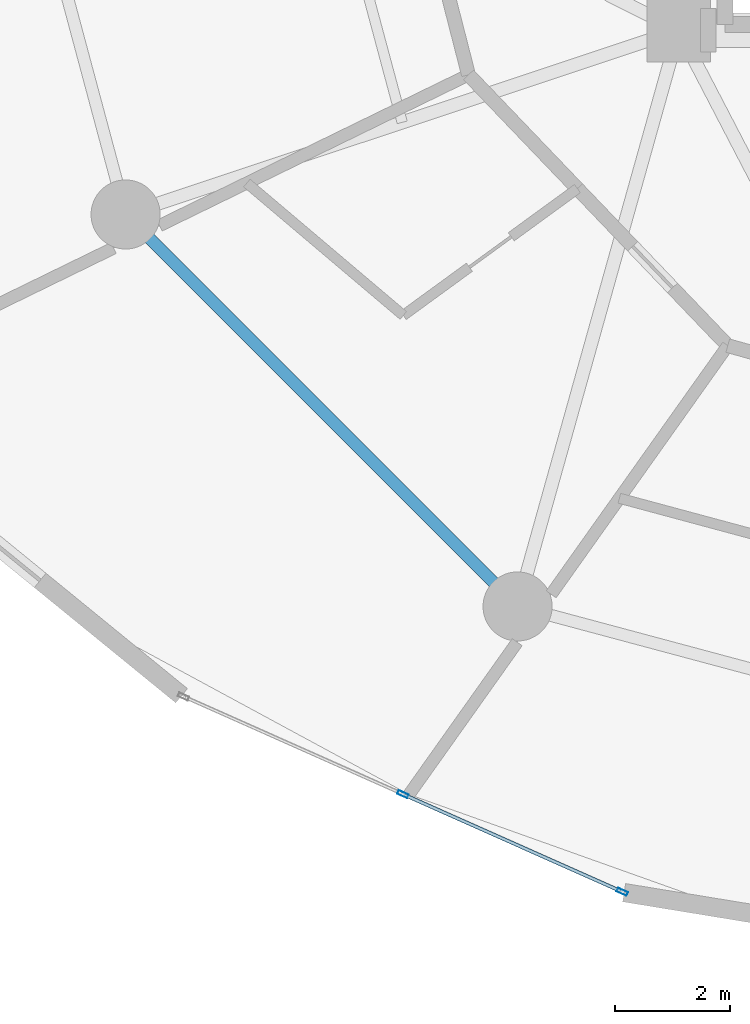
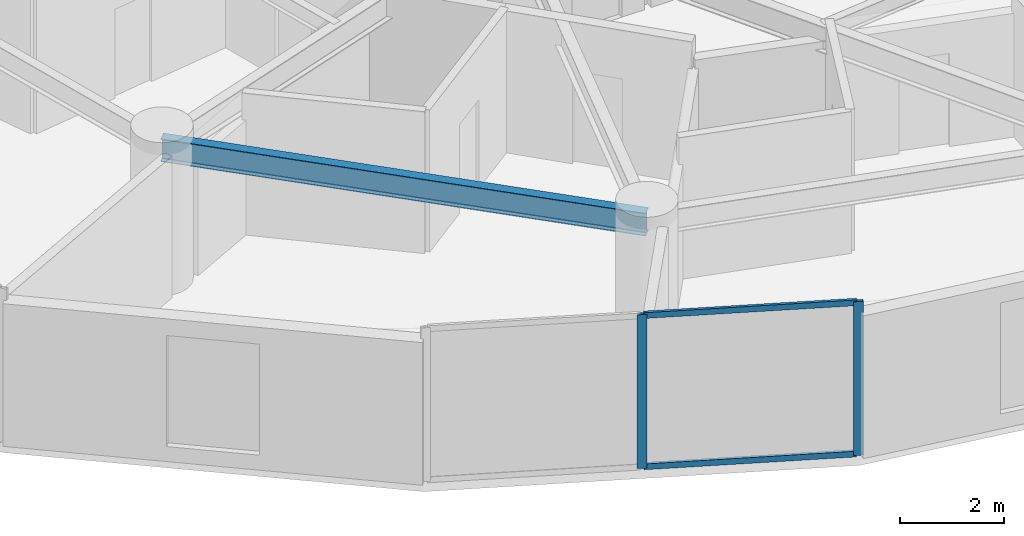
# One storey, part 3 of 26: 4 members, 1 beam, 1 element without a shape of its own.
"""IFC4 building model written with IfcOpenShell, lengths in metres."""

from ifc_helpers import new_model, si_unit, direction, frame, origin, origin_2d, place, context, subcontext, project, spatial, hollow_rectangle, i_section, extrude, source, transform, mapped, material, layer, layer_set, material_profile, profile_set, type_object, element, aggregate, save


model = new_model("IFC4")

# Units and contexts
model_context = context("Model", 3, precision=1e-05, world=origin(), true_north=direction((0.0, 1.0)))
body_context = subcontext(model_context, "Body", "Model", "MODEL_VIEW")
ifc_project = project(units=[si_unit("LENGTHUNIT", "METRE"), si_unit("AREAUNIT", "SQUARE_METRE"), si_unit("VOLUMEUNIT", "CUBIC_METRE"), si_unit("PLANEANGLEUNIT", "RADIAN"), si_unit("MASSUNIT", "GRAM", prefix="KILO")], contexts=[model_context])

# Site, building, storey
site_placement = place(None, origin())
site = spatial("IfcSite", under=ifc_project, at=site_placement, CompositionType="ELEMENT")
building_placement = place(site_placement, origin())
building = spatial("IfcBuilding", under=site, at=building_placement, Name="Solvirekh Grand Hotel", CompositionType="ELEMENT")
storey_placement = place(building_placement, frame((0.0, 0.0, 64.39990234375)))
storey = spatial("IfcBuildingStorey", under=building, at=storey_placement, Name="L15", CompositionType="ELEMENT", Elevation=64.39990234375)

# Beam
ifc_material_1 = material(Name="Steel S355", Category="steel")
ifc_material_profile_1 = material_profile(ifc_material_1, i_section(OverallWidth=0.208984375, OverallDepth=0.532958984375, WebThickness=0.010009765625, FlangeThickness=0.014892578125, FilletRadius=0.013916015625, at=origin_2d()), Name="W530X92")
ifc_profile_set_1 = profile_set([ifc_material_profile_1], Name="Steel S355")
beam_type = type_object("IfcBeamType", Name="Spandrel_Ring_W530", PredefinedType="SPANDREL", material=ifc_profile_set_1)
beam_placement = place(storey_placement, frame((-16.10791015625, -9.300048828125, 3.07421875), z_axis=(0.707106781187, -0.707106781187, 0.0), x_axis=(0.707106781187, 0.707106781187, 0.0)))
element("IfcBeam", 1, at=beam_placement, inside=storey, type_object=beam_type, Name="L15 perimeter spandrel beam 8", PredefinedType="SPANDREL", context=body_context, shape_type="SweptSolid", body=[
    extrude(i_section(OverallWidth=0.208984375, OverallDepth=0.532958984375, WebThickness=0.010009765625, FlangeThickness=0.014892578125, FilletRadius=0.013916015625, at=origin_2d()), origin(), (0.0, 0.0, 1.0), 9.627685546875),
])

# Curtain wall, members
ifc_material_2 = material(Name="Anodized Bronze Aluminium 6063-T6", Category="aluminium")
ifc_layer = layer(ifc_material_2, 0.18994140625)
ifc_layer_set = layer_set([ifc_layer], Name="Anodized Bronze Aluminium 6063-T6")
curtain_wall_type = type_object("IfcCurtainWallType", Name="CW_Sys2_LowZoneFlushBronzeCW", PredefinedType="NOTDEFINED", material=ifc_layer_set)
curtain_wall_placement = place(storey_placement, origin())
curtain_wall = element("IfcCurtainWall", 2, at=curtain_wall_placement, inside=storey, type_object=curtain_wall_type, Name="L15 unitised bronze-glass curtain wall CW-L15-C15", PredefinedType="NOTDEFINED")
ifc_material_profile_2 = material_profile(ifc_material_2, hollow_rectangle(XDim=0.070068359375, YDim=0.18994140625, WallThickness=0.0048828125, at=origin_2d()), Name="ALU RHS 190X70X5")
ifc_profile_set_2 = profile_set([ifc_material_profile_2], Name="Anodized Bronze Aluminium 6063-T6")
member_type_1 = type_object("IfcMemberType", Name="CWMullion_Sys2", PredefinedType="MULLION", material=ifc_profile_set_2)
shared_shape_1 = source(origin(), body_context, "Body", "SweptSolid", [
    extrude(hollow_rectangle(XDim=0.070068359375, YDim=0.18994140625, WallThickness=0.0048828125, at=origin_2d()), origin(), (0.0, 0.0, 1.0), 3.60009765625),
])
member_1_placement = place(storey_placement, frame((-11.29296875, -19.368408203125, 0.0), z_axis=(0.0, 0.0, 1.0), x_axis=(0.406634695152, 0.913590840967, 0.0)))
member_1 = element("IfcMember", 3, at=member_1_placement, type_object=member_type_1, Name="U02 mullion 2", PredefinedType="MULLION", context=body_context, shape_type="MappedRepresentation", body=[
    mapped(shared_shape_1, transform((0.0, 0.0, 0.0), x_axis=(1.0, 0.0, 0.0), y_axis=(0.0, 1.0, 0.0), z_axis=(0.0, 0.0, 1.0), scale=1.0)),
])
member_2_placement = place(storey_placement, frame((-7.48193359375, -21.064697265625, 0.0), z_axis=(0.0, 0.0, 1.0), x_axis=(0.406634695152, 0.913590840967, 0.0)))
member_2 = element("IfcMember", 4, at=member_2_placement, type_object=member_type_1, Name="U02 mullion 3", PredefinedType="MULLION", context=body_context, shape_type="MappedRepresentation", body=[
    mapped(shared_shape_1, transform((0.0, 0.0, 0.0), x_axis=(1.0, 0.0, 0.0), y_axis=(0.0, 1.0, 0.0), z_axis=(0.0, 0.0, 1.0), scale=1.0)),
])
ifc_material_profile_3 = material_profile(ifc_material_2, hollow_rectangle(XDim=0.06005859375, YDim=0.135009765625, WallThickness=0.00390625, at=origin_2d()), Name="ALU RHS 135X60X4")
ifc_profile_set_3 = profile_set([ifc_material_profile_3], Name="Anodized Bronze Aluminium 6063-T6")
member_type_2 = type_object("IfcMemberType", Name="CWTransom_Sys2", PredefinedType="USERDEFINED", material=ifc_profile_set_3)
shared_shape_2 = source(origin(), body_context, "Body", "SweptSolid", [
    extrude(hollow_rectangle(XDim=0.06005859375, YDim=0.135009765625, WallThickness=0.00390625, at=origin_2d()), origin(), (0.0, 0.0, 1.0), 4.1015625),
])
member_3_placement = place(storey_placement, frame((-11.260986328125, -19.3828125, 0.030029296875), z_axis=(0.913597866775, -0.406618909821, 0.0), x_axis=(0.406618909821, 0.913597866775, 0.0)))
member_3 = element("IfcMember", 5, at=member_3_placement, type_object=member_type_2, Name="U02 transom 2.1", ObjectType="TRANSOM", PredefinedType="USERDEFINED", context=body_context, shape_type="MappedRepresentation", body=[
    mapped(shared_shape_2, transform((0.0, 0.0, 0.0), x_axis=(1.0, 0.0, 0.0), y_axis=(0.0, 1.0, 0.0), z_axis=(0.0, 0.0, 1.0), scale=1.0)),
])
member_4_placement = place(storey_placement, frame((-11.260986328125, -19.3828125, 3.570068359375), z_axis=(0.913597866775, -0.406618909821, 0.0), x_axis=(0.406618909821, 0.913597866775, 0.0)))
member_4 = element("IfcMember", 6, at=member_4_placement, type_object=member_type_2, Name="U02 transom 2.2", ObjectType="TRANSOM", PredefinedType="USERDEFINED", context=body_context, shape_type="MappedRepresentation", body=[
    mapped(shared_shape_2, transform((0.0, 0.0, 0.0), x_axis=(1.0, 0.0, 0.0), y_axis=(0.0, 1.0, 0.0), z_axis=(0.0, 0.0, 1.0), scale=1.0)),
])
aggregate(curtain_wall, [member_1, member_2, member_3, member_4])

save(model, "model.ifc")
